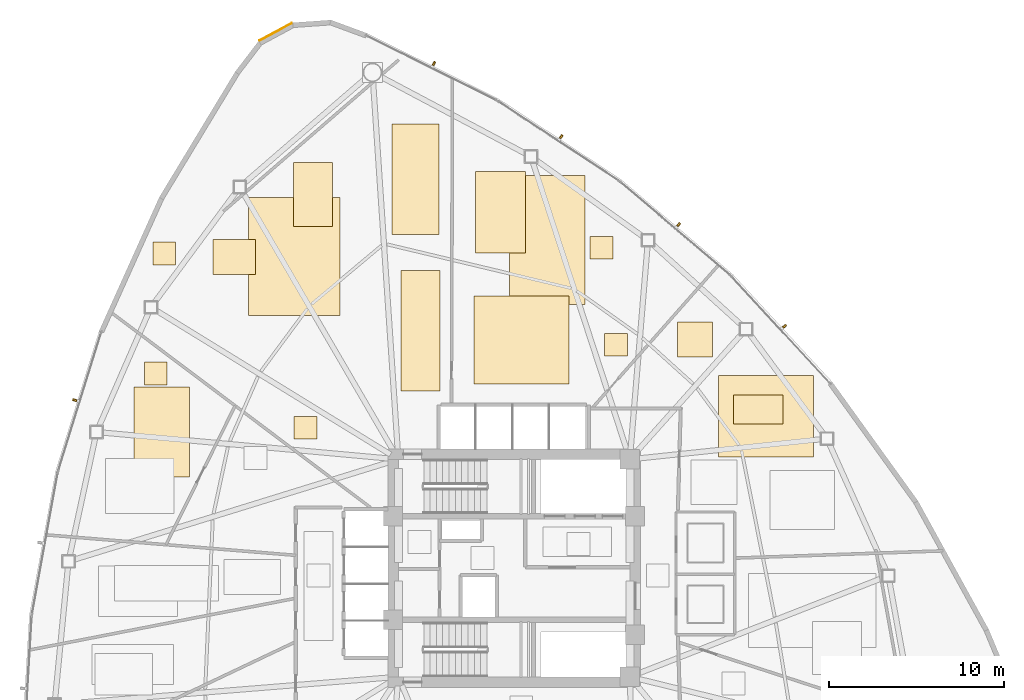
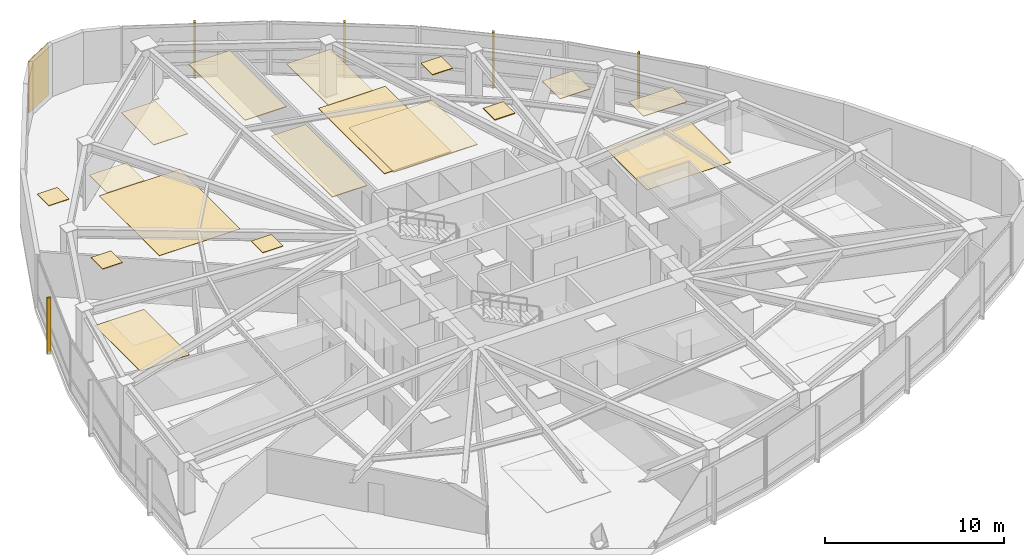
# One storey, part 17 of 17: 18 coverings, 5 shading devices.
"""IFC4 building model written with IfcOpenShell, lengths in metres."""

from ifc_helpers import new_model, si_unit, direction, frame, origin, origin_2d, place, context, subcontext, project, spatial, polyline, rectangle, outline, extrude, source, transform, mapped, material, layer, layer_set, type_object, type_shapes, element, save


model = new_model("IFC4")

# Units and contexts
model_context = context("Model", 3, precision=1e-05, world=origin(), true_north=direction((0.0, 1.0)))
body_context = subcontext(model_context, "Body", "Model", "MODEL_VIEW")
ifc_project = project(units=[si_unit("LENGTHUNIT", "METRE"), si_unit("AREAUNIT", "SQUARE_METRE"), si_unit("VOLUMEUNIT", "CUBIC_METRE"), si_unit("PLANEANGLEUNIT", "RADIAN"), si_unit("MASSUNIT", "GRAM", prefix="KILO")], contexts=[model_context])

# Site, building, storey
site_placement = place(None, origin())
site = spatial("IfcSite", under=ifc_project, at=site_placement, CompositionType="ELEMENT")
building_placement = place(site_placement, origin())
building = spatial("IfcBuilding", under=site, at=building_placement, Name="Tavelor Broadcast Tower", CompositionType="ELEMENT")
storey_placement = place(building_placement, frame((0.0, 0.0, 93.89990234375)))
storey = spatial("IfcBuildingStorey", under=building, at=storey_placement, Name="L22", CompositionType="ELEMENT", Elevation=93.89990234375)

# Coverings
ifc_material_1 = material(Name="Copper-Bronze Anodized Aluminium", Category="aluminium")
ifc_layer_1 = layer(ifc_material_1, 0.050048828125)
ifc_layer_set_1 = layer_set([ifc_layer_1], Name="Copper-Bronze Anodized Aluminium")
covering_type_1 = type_object("IfcCoveringType", Name="Champagne-Bronze Corner Pier Metal Cladding 50 mm", PredefinedType="CLADDING", material=ifc_layer_set_1)
covering_1_placement = place(storey_placement, frame((36.398193359375, 75.576904296875, 0.02001953125), z_axis=(0.0, 0.0, 1.0), x_axis=(-0.880063298291, -0.474856389871, 0.0)))
element("IfcCovering", 1, at=covering_1_placement, inside=storey, type_object=covering_type_1, Name="L22 Champagne-Bronze Corner Cladding 03", PredefinedType="CLADDING", context=body_context, shape_type="SweptSolid", body=[
    extrude(rectangle(XDim=2.097412109375, YDim=0.050048828125, at=origin_2d()), origin(), (0.0, 0.0, 1.0), 3.56005859375),
])
ifc_material_2 = material(Name="Acoustic Nylon Carpet Tile")
ifc_layer_2 = layer(ifc_material_2, 0.02001953125)
ifc_layer_set_2 = layer_set([ifc_layer_2], Name="Acoustic Nylon Carpet Tile")
covering_type_2 = type_object("IfcCoveringType", Name="Heavy-Duty Acoustic Broadcast Carpet Tile 20 mm", PredefinedType="FLOORING", material=ifc_layer_set_2)
covering_2_placement = place(storey_placement, origin())
element("IfcCovering", 2, at=covering_2_placement, inside=storey, type_object=covering_type_2, Name="L22 Broadcast Floor Finish 0334", PredefinedType="FLOORING", context=body_context, shape_type="SweptSolid", body=[
    extrude(outline(polyline([(28.319091796875, 50.201416015625), (31.49853515625, 50.201416015625), (31.49853515625, 55.320556640625), (28.319091796875, 55.320556640625), (28.319091796875, 50.201416015625)])), origin(), (0.0, 0.0, 1.0), 0.02001953125),
])
covering_3_placement = place(storey_placement, origin())
element("IfcCovering", 3, at=covering_3_placement, inside=storey, type_object=covering_type_2, Name="L22 Broadcast Floor Finish 0335", PredefinedType="FLOORING", context=body_context, shape_type="SweptSolid", body=[
    extrude(outline(polyline([(34.863525390625, 59.40625), (40.080322265625, 59.40625), (40.080322265625, 66.133056640625), (34.863525390625, 66.133056640625), (34.863525390625, 59.40625)])), origin(), (0.0, 0.0, 1.0), 0.02001953125),
])
covering_4_placement = place(storey_placement, origin())
element("IfcCovering", 4, at=covering_4_placement, inside=storey, type_object=covering_type_2, Name="L22 Broadcast Floor Finish 0337", PredefinedType="FLOORING", context=body_context, shape_type="SweptSolid", body=[
    extrude(outline(polyline([(61.66259765625, 51.333740234375), (67.07763671875, 51.333740234375), (67.07763671875, 55.993896484375), (61.66259765625, 55.993896484375), (61.66259765625, 51.333740234375)])), origin(), (0.0, 0.0, 1.0), 0.02001953125),
])
ifc_material_3 = material(Name="Acoustic Hardwood Studio Flooring", Category="wood")
ifc_layer_3 = layer(ifc_material_3, 0.034912109375)
ifc_layer_set_3 = layer_set([ifc_layer_3], Name="Acoustic Hardwood Studio Flooring")
covering_type_3 = type_object("IfcCoveringType", Name="Isolated Studio Acoustic Elastomeric Floor Finish 35 mm", PredefinedType="FLOORING", material=ifc_layer_set_3)
covering_5_placement = place(storey_placement, origin())
element("IfcCovering", 5, at=covering_5_placement, inside=storey, type_object=covering_type_3, Name="L22 Broadcast Floor Finish 0336", PredefinedType="FLOORING", context=body_context, shape_type="SweptSolid", body=[
    extrude(outline(polyline([(49.728515625, 60.02685546875), (54.047607421875, 60.02685546875), (54.047607421875, 67.374267578125), (49.728515625, 67.374267578125), (49.728515625, 60.02685546875)])), origin(), (0.0, 0.0, 1.0), 0.03515625),
])
ifc_material_4 = material(Name="Acoustic Perforated Timber Baffle", Category="wood")
ifc_layer_4 = layer(ifc_material_4, 0.054931640625)
ifc_layer_set_4 = layer_set([ifc_layer_4], Name="Acoustic Perforated Timber Baffle")
covering_type_4 = type_object("IfcCoveringType", Name="Micro-Perforated Acoustic Baffle Studio Ceiling 55 mm", PredefinedType="CEILING", material=ifc_layer_set_4)
covering_6_placement = place(storey_placement, frame((0.0, 0.0, 3.545166015625)))
element("IfcCovering", 6, at=covering_6_placement, inside=storey, type_object=covering_type_4, Name="L22 Suspended Acoustic Ceiling 0957", PredefinedType="CEILING", context=body_context, shape_type="SweptSolid", body=[
    extrude(outline(polyline([(47.71630859375, 55.49609375), (53.118896484375, 55.49609375), (53.118896484375, 60.501708984375), (47.71630859375, 60.501708984375), (47.71630859375, 55.49609375)])), origin(), (0.0, 0.0, 1.0), 0.054931640625),
])
covering_7_placement = place(storey_placement, frame((0.0, 0.0, 3.545166015625)))
element("IfcCovering", 7, at=covering_7_placement, inside=storey, type_object=covering_type_4, Name="L22 Suspended Acoustic Ceiling 0958", PredefinedType="CEILING", context=body_context, shape_type="SweptSolid", body=[
    extrude(outline(polyline([(47.81103515625, 62.962646484375), (50.664306640625, 62.962646484375), (50.664306640625, 67.62451171875), (47.81103515625, 67.62451171875), (47.81103515625, 62.962646484375)])), origin(), (0.0, 0.0, 1.0), 0.054931640625),
])
covering_8_placement = place(storey_placement, frame((0.0, 0.0, 3.545166015625)))
element("IfcCovering", 8, at=covering_8_placement, inside=storey, type_object=covering_type_4, Name="L22 Suspended Acoustic Ceiling 0959", PredefinedType="CEILING", context=body_context, shape_type="SweptSolid", body=[
    extrude(outline(polyline([(55.159423828125, 57.079345703125), (56.45947265625, 57.079345703125), (56.45947265625, 58.37939453125), (55.159423828125, 58.37939453125), (55.159423828125, 57.079345703125)])), origin(), (0.0, 0.0, 1.0), 0.054931640625),
])
covering_9_placement = place(storey_placement, frame((0.0, 0.0, 3.545166015625)))
element("IfcCovering", 9, at=covering_9_placement, inside=storey, type_object=covering_type_4, Name="L22 Suspended Acoustic Ceiling 0960", PredefinedType="CEILING", context=body_context, shape_type="SweptSolid", body=[
    extrude(outline(polyline([(54.34130859375, 62.618896484375), (55.641357421875, 62.618896484375), (55.641357421875, 63.918701171875), (54.34130859375, 63.918701171875), (54.34130859375, 62.618896484375)])), origin(), (0.0, 0.0, 1.0), 0.054931640625),
])
ifc_material_5 = material(Name="Acoustic Mineral Fibre Tile")
ifc_layer_5 = layer(ifc_material_5, 0.0400390625)
ifc_layer_set_5 = layer_set([ifc_layer_5], Name="Acoustic Mineral Fibre Tile")
covering_type_5 = type_object("IfcCoveringType", Name="Suspended Acoustic Mineral-Fibre Office Ceiling 40 mm", PredefinedType="CEILING", material=ifc_layer_set_5)
covering_10_placement = place(storey_placement, frame((0.0, 0.0, 3.56005859375)))
element("IfcCovering", 10, at=covering_10_placement, inside=storey, type_object=covering_type_5, Name="L22 Suspended Acoustic Ceiling 0949", PredefinedType="CEILING", context=body_context, shape_type="SweptSolid", body=[
    extrude(outline(polyline([(28.913818359375, 55.448486328125), (30.2138671875, 55.448486328125), (30.2138671875, 56.748291015625), (28.913818359375, 56.748291015625), (28.913818359375, 55.448486328125)])), origin(), (0.0, 0.0, 1.0), 0.0400390625),
])
covering_11_placement = place(storey_placement, frame((0.0, 0.0, 3.56005859375)))
element("IfcCovering", 11, at=covering_11_placement, inside=storey, type_object=covering_type_5, Name="L22 Suspended Acoustic Ceiling 0951", PredefinedType="CEILING", context=body_context, shape_type="SweptSolid", body=[
    extrude(outline(polyline([(29.397705078125, 62.288818359375), (30.697509765625, 62.288818359375), (30.697509765625, 63.5888671875), (29.397705078125, 63.5888671875), (29.397705078125, 62.288818359375)])), origin(), (0.0, 0.0, 1.0), 0.0400390625),
])
covering_12_placement = place(storey_placement, frame((0.0, 0.0, 3.56005859375)))
element("IfcCovering", 12, at=covering_12_placement, inside=storey, type_object=covering_type_5, Name="L22 Suspended Acoustic Ceiling 0952", PredefinedType="CEILING", context=body_context, shape_type="SweptSolid", body=[
    extrude(outline(polyline([(32.840576171875, 61.742431640625), (35.267333984375, 61.742431640625), (35.267333984375, 63.742919921875), (32.840576171875, 63.742919921875), (32.840576171875, 61.742431640625)])), origin(), (0.0, 0.0, 1.0), 0.0400390625),
])
covering_13_placement = place(storey_placement, frame((0.0, 0.0, 3.56005859375)))
element("IfcCovering", 13, at=covering_13_placement, inside=storey, type_object=covering_type_5, Name="L22 Suspended Acoustic Ceiling 0953", PredefinedType="CEILING", context=body_context, shape_type="SweptSolid", body=[
    extrude(outline(polyline([(37.434326171875, 64.480224609375), (39.633056640625, 64.480224609375), (39.633056640625, 68.120361328125), (37.434326171875, 68.120361328125), (37.434326171875, 64.480224609375)])), origin(), (0.0, 0.0, 1.0), 0.0400390625),
])
covering_14_placement = place(storey_placement, frame((0.0, 0.0, 3.56005859375)))
element("IfcCovering", 14, at=covering_14_placement, inside=storey, type_object=covering_type_5, Name="L22 Suspended Acoustic Ceiling 0954", PredefinedType="CEILING", context=body_context, shape_type="SweptSolid", body=[
    extrude(outline(polyline([(43.05029296875, 64.011474609375), (45.720947265625, 64.011474609375), (45.720947265625, 70.32861328125), (43.05029296875, 70.32861328125), (43.05029296875, 64.011474609375)])), origin(), (0.0, 0.0, 1.0), 0.0400390625),
])
covering_15_placement = place(storey_placement, frame((0.0, 0.0, 3.56005859375)))
element("IfcCovering", 15, at=covering_15_placement, inside=storey, type_object=covering_type_5, Name="L22 Suspended Acoustic Ceiling 0955", PredefinedType="CEILING", context=body_context, shape_type="SweptSolid", body=[
    extrude(outline(polyline([(43.54248046875, 55.110107421875), (45.780517578125, 55.110107421875), (45.780517578125, 61.966796875), (43.54248046875, 61.966796875), (43.54248046875, 55.110107421875)])), origin(), (0.0, 0.0, 1.0), 0.0400390625),
])
covering_16_placement = place(storey_placement, frame((0.0, 0.0, 3.56005859375)))
element("IfcCovering", 16, at=covering_16_placement, inside=storey, type_object=covering_type_5, Name="L22 Suspended Acoustic Ceiling 0956", PredefinedType="CEILING", context=body_context, shape_type="SweptSolid", body=[
    extrude(outline(polyline([(37.4619140625, 52.352294921875), (38.76171875, 52.352294921875), (38.76171875, 53.652099609375), (37.4619140625, 53.652099609375), (37.4619140625, 52.352294921875)])), origin(), (0.0, 0.0, 1.0), 0.0400390625),
])
covering_17_placement = place(storey_placement, frame((0.0, 0.0, 3.56005859375)))
element("IfcCovering", 17, at=covering_17_placement, inside=storey, type_object=covering_type_5, Name="L22 Suspended Acoustic Ceiling 0961", PredefinedType="CEILING", context=body_context, shape_type="SweptSolid", body=[
    extrude(outline(polyline([(59.326171875, 57.02490234375), (61.303955078125, 57.02490234375), (61.303955078125, 59.03125), (59.326171875, 59.03125), (59.326171875, 57.02490234375)])), origin(), (0.0, 0.0, 1.0), 0.0400390625),
])
covering_18_placement = place(storey_placement, frame((0.0, 0.0, 3.56005859375)))
element("IfcCovering", 18, at=covering_18_placement, inside=storey, type_object=covering_type_5, Name="L22 Suspended Acoustic Ceiling 0964", PredefinedType="CEILING", context=body_context, shape_type="SweptSolid", body=[
    extrude(outline(polyline([(62.515380859375, 53.22216796875), (65.340087890625, 53.22216796875), (65.340087890625, 54.876220703125), (62.515380859375, 54.876220703125), (62.515380859375, 53.22216796875)])), origin(), (0.0, 0.0, 1.0), 0.0400390625),
])

# Shading devices
ifc_material_6 = material(Name="Kiln-Fired Glazed Terracotta", Category="masonry")
shading_device_type = type_object("IfcShadingDeviceType", Name="Extruded Terracotta Baguette Sun-Screen 110x240", PredefinedType="JALOUSIE", material=ifc_material_6)
shared_shape = source(origin(), body_context, "Body", "SweptSolid", [
    extrude(rectangle(XDim=0.110107421875, YDim=0.239990234375, at=origin_2d()), origin(), (0.0, 0.0, 1.0), 3.840087890625),
])
type_shapes(shading_device_type, [shared_shape])
for number, where, z_axis, x_axis, name in (
    (19, (24.941650390625, 54.5791015625, -0.259765625), (0.0, 0.0, 1.0), (-0.296874921752, -0.954916373739, 0.0), "L22 Terracotta Baguette Fin 217"),
    (20, (65.4248046875, 58.7939453125, -0.259765625), (0.0, 0.0, 1.0), (-0.678544377272, 0.734559410853, 0.0), "L22 Terracotta Baguette Fin 225"),
    (21, (59.38525390625, 64.585693359375, -0.259765625), (0.0, 0.0, 1.0), (-0.762442511011, 0.647055961569, 0.0), "L22 Terracotta Baguette Fin 226"),
    (22, (52.689208984375, 69.604248046875, -0.259765625), (0.0, 0.0, 1.0), (-0.835135979853, 0.550043539327, 0.0), "L22 Terracotta Baguette Fin 227"),
    (23, (45.434814453125, 73.775390625, -0.259765625), (0.0, 0.0, 1.0), (-0.895556498716, 0.444947814477, 0.0), "L22 Terracotta Baguette Fin 228"),
):
    element("IfcShadingDevice", number, at=place(storey_placement, frame(where, z_axis=z_axis, x_axis=x_axis)), inside=storey, type_object=shading_device_type, Name=name, PredefinedType="JALOUSIE", context=body_context, shape_type="MappedRepresentation", body=[
        mapped(shared_shape, transform((0.0, 0.0, 0.0), scale=1.0)),
    ])

save(model, "model.ifc")
